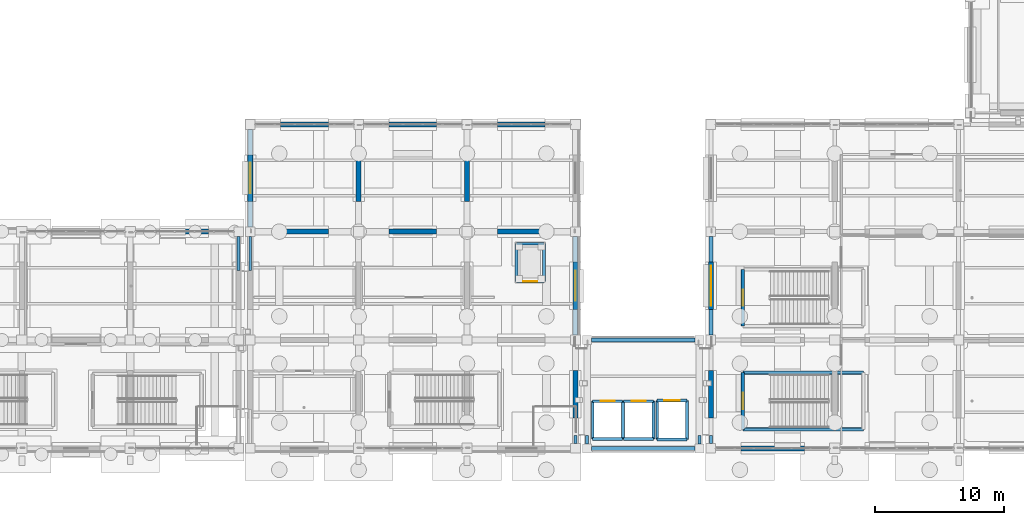
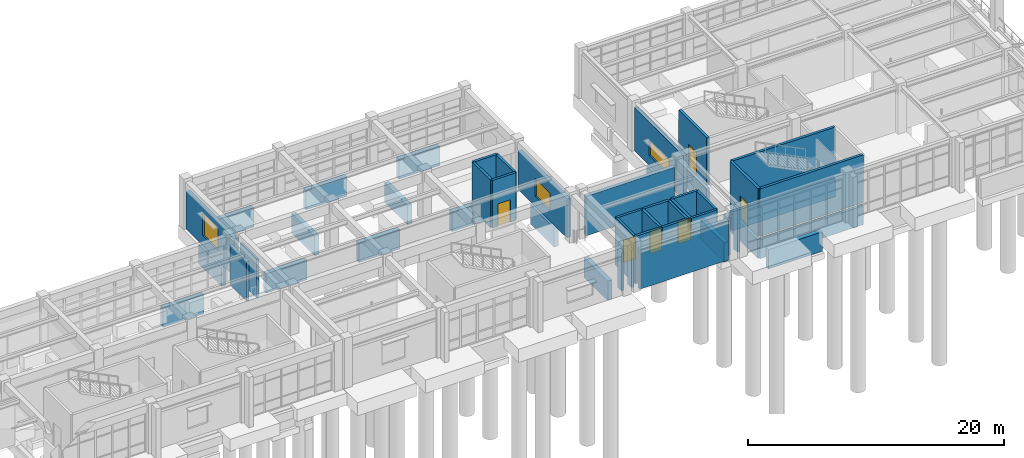
# One storey, part 86 of 111: 50 walls, 6 doors, 3 windows, 9 openings.
"""IFC4 building model written with IfcOpenShell, lengths in metres."""

from ifc_helpers import new_model, si_unit, direction, frame, frame_2d, origin, place, context, subcontext, project, spatial, rectangle, extrude, material, layer, layer_set, type_object, element, fill, save


model = new_model("IFC4")

# Units and contexts
model_context = context("Model", 3, precision=1e-05, world=origin(), true_north=direction((0.0, 1.0)))
body_context = subcontext(model_context, "Body", "Model", "MODEL_VIEW")
ifc_project = project(units=[si_unit("LENGTHUNIT", "METRE"), si_unit("AREAUNIT", "SQUARE_METRE"), si_unit("VOLUMEUNIT", "CUBIC_METRE"), si_unit("PLANEANGLEUNIT", "RADIAN"), si_unit("MASSUNIT", "GRAM", prefix="KILO")], contexts=[model_context])

# Site, building, storey
site_placement = place(None, origin())
site = spatial("IfcSite", under=ifc_project, at=site_placement, CompositionType="ELEMENT")
building_placement = place(site_placement, origin())
building = spatial("IfcBuilding", under=site, at=building_placement, Name="Canglan Escarpment Cableway Terminal", CompositionType="ELEMENT")
storey_placement = place(building_placement, frame((0.0, 0.0, 4.800048828125)))
storey = spatial("IfcBuildingStorey", under=building, at=storey_placement, Name="L01", CompositionType="ELEMENT", Elevation=4.800048828125)

# Walls
ifc_material_1 = material(Name="Concrete C40", Category="concrete")
ifc_layer_1 = layer(ifc_material_1, 0.39990234375, Name="Concrete C40")
ifc_layer_set_1 = layer_set([ifc_layer_1], Name="Concrete C40")
wall_type_1 = type_object("IfcWallType", Name="WL-BENCH-SOLID-400", PredefinedType="SOLIDWALL", material=ifc_layer_set_1)
for number, where, z_axis, x_axis, name in (
    (1, (104.550048828125, 24.800048828125, -2.10009765625), (0.0, 0.0, 1.0), (1.0, 0.0, 0.0), "Hillside bench foundation wall BWALL-X-FB3-3-4"),
    (2, (113.85009765625, 24.800048828125, -2.10009765625), (0.0, 0.0, 1.0), (1.0, 0.0, 0.0), "Hillside bench foundation wall BWALL-X-FB4-3-1"),
    (3, (122.25, 24.800048828125, -2.10009765625), (0.0, 0.0, 1.0), (1.0, 0.0, 0.0), "Hillside bench foundation wall BWALL-X-FB4-3-2"),
):
    element("IfcWall", number, at=place(storey_placement, frame(where, z_axis=z_axis, x_axis=x_axis)), inside=storey, type_object=wall_type_1, Name=name, PredefinedType="SOLIDWALL", context=body_context, shape_type="SweptSolid", body=[
        extrude(rectangle(XDim=3.699951171875, YDim=0.39990234375, at=frame_2d((1.85009765625, 0.0))), origin(), (0.0, 0.0, 1.0), 1.85009765625),
    ])
wall_1_placement = place(storey_placement, frame((130.64990234375, 24.800048828125, -2.10009765625), z_axis=(0.0, 0.0, 1.0), x_axis=(1.0, 0.0, 0.0)))
element("IfcWall", 4, at=wall_1_placement, inside=storey, type_object=wall_type_1, Name="Hillside bench foundation wall BWALL-X-FB4-3-3", PredefinedType="SOLIDWALL", context=body_context, shape_type="SweptSolid", body=[
    extrude(rectangle(XDim=3.7001953125, YDim=0.39990234375, at=frame_2d((1.85009765625, 0.0))), origin(), (0.0, 0.0, 1.0), 1.85009765625),
])
for number, where, z_axis, x_axis, name in (
    (5, (113.85009765625, 33.10009765625, -2.10009765625), (0.0, 0.0, 1.0), (1.0, 0.0, 0.0), "Hillside bench foundation wall BWALL-X-FB4-4-1"),
    (6, (122.25, 33.10009765625, -2.10009765625), (0.0, 0.0, 1.0), (1.0, 0.0, 0.0), "Hillside bench foundation wall BWALL-X-FB4-4-2"),
):
    element("IfcWall", number, at=place(storey_placement, frame(where, z_axis=z_axis, x_axis=x_axis)), inside=storey, type_object=wall_type_1, Name=name, PredefinedType="SOLIDWALL", context=body_context, shape_type="SweptSolid", body=[
        extrude(rectangle(XDim=3.699951171875, YDim=0.39990234375, at=frame_2d((1.85009765625, 0.0))), origin(), (0.0, 0.0, 1.0), 1.85009765625),
    ])
wall_2_placement = place(storey_placement, frame((130.64990234375, 33.10009765625, -2.10009765625), z_axis=(0.0, 0.0, 1.0), x_axis=(1.0, 0.0, 0.0)))
element("IfcWall", 7, at=wall_2_placement, inside=storey, type_object=wall_type_1, Name="Hillside bench foundation wall BWALL-X-FB4-4-3", PredefinedType="SOLIDWALL", context=body_context, shape_type="SweptSolid", body=[
    extrude(rectangle(XDim=3.7001953125, YDim=0.39990234375, at=frame_2d((1.85009765625, 0.0))), origin(), (0.0, 0.0, 1.0), 1.85009765625),
])
for number, where, z_axis, x_axis, name in (
    (8, (111.5, 27.14990234375, -2.10009765625), (0.0, 0.0, 1.0), (0.0, 1.0, 0.0), "Hillside bench transverse foundation wall BWALL-Y-FB4-1-3"),
    (9, (119.89990234375, 27.14990234375, -2.10009765625), (0.0, 0.0, 1.0), (0.0, 1.0, 0.0), "Hillside bench transverse foundation wall BWALL-Y-FB4-2-3"),
    (10, (128.300048828125, 27.14990234375, -2.10009765625), (0.0, 0.0, 1.0), (0.0, 1.0, 0.0), "Hillside bench transverse foundation wall BWALL-Y-FB4-3-3"),
):
    element("IfcWall", number, at=place(storey_placement, frame(where, z_axis=z_axis, x_axis=x_axis)), inside=storey, type_object=wall_type_1, Name=name, PredefinedType="SOLIDWALL", context=body_context, shape_type="SweptSolid", body=[
        extrude(rectangle(XDim=3.60009765625, YDim=0.39990234375, at=frame_2d((1.800048828125, 0.0))), origin(), (0.0, 0.0, 1.0), 1.85009765625),
    ])
for number, where, z_axis, x_axis, name in (
    (11, (136.699951171875, 10.35009765625, -2.10009765625), (0.0, 0.0, 1.0), (0.0, 1.0, 0.0), "Hillside bench transverse foundation wall BWALL-Y-FB4-4-1"),
    (12, (136.699951171875, 18.75, -2.10009765625), (0.0, 0.0, 1.0), (0.0, 1.0, 0.0), "Hillside bench transverse foundation wall BWALL-Y-FB4-4-2"),
):
    element("IfcWall", number, at=place(storey_placement, frame(where, z_axis=z_axis, x_axis=x_axis)), inside=storey, type_object=wall_type_1, Name=name, PredefinedType="SOLIDWALL", context=body_context, shape_type="SweptSolid", body=[
        extrude(rectangle(XDim=3.699951171875, YDim=0.39990234375, at=frame_2d((1.85009765625, 0.0))), origin(), (0.0, 0.0, 1.0), 1.85009765625),
    ])
wall_3_placement = place(storey_placement, frame((149.550048828125, 8.0, -2.10009765625), z_axis=(0.0, 0.0, 1.0), x_axis=(1.0, 0.0, 0.0)))
element("IfcWall", 13, at=wall_3_placement, inside=storey, type_object=wall_type_1, Name="Hillside bench foundation wall BWALL-X-FB5-1-1", PredefinedType="SOLIDWALL", context=body_context, shape_type="SweptSolid", body=[
    extrude(rectangle(XDim=4.89990234375, YDim=0.39990234375, at=frame_2d((2.449951171875, 0.0))), origin(), (0.0, 0.0, 1.0), 1.85009765625),
])
for number, where, z_axis, x_axis, name in (
    (14, (147.199951171875, 10.35009765625, -2.10009765625), (0.0, 0.0, 1.0), (0.0, 1.0, 0.0), "Hillside bench transverse foundation wall BWALL-Y-FB5-1-1"),
    (15, (147.199951171875, 18.75, -2.10009765625), (0.0, 0.0, 1.0), (0.0, 1.0, 0.0), "Hillside bench transverse foundation wall BWALL-Y-FB5-1-2"),
):
    element("IfcWall", number, at=place(storey_placement, frame(where, z_axis=z_axis, x_axis=x_axis)), inside=storey, type_object=wall_type_1, Name=name, PredefinedType="SOLIDWALL", context=body_context, shape_type="SweptSolid", body=[
        extrude(rectangle(XDim=3.699951171875, YDim=0.39990234375, at=frame_2d((1.85009765625, 0.0))), origin(), (0.0, 0.0, 1.0), 1.85009765625),
    ])
for number, where, z_axis, x_axis, name in (
    (16, (149.679931640625, 9.47998046875, -2.10009765625), (0.0, 0.0, 1.0), (1.0, 0.0, 0.0), "Stair core foundation wall ST-08"),
    (17, (159.02001953125, 13.8701171875, -2.10009765625), (0.0, 0.0, 1.0), (-1.0, 0.0, 0.0), "Stair core foundation wall ST-08"),
):
    element("IfcWall", number, at=place(storey_placement, frame(where, z_axis=z_axis, x_axis=x_axis)), inside=storey, type_object=wall_type_1, Name=name, PredefinedType="SOLIDWALL", context=body_context, shape_type="SweptSolid", body=[
        extrude(rectangle(XDim=9.340087890625, YDim=0.280029296875, at=frame_2d((4.669921875, 0.0))), origin(), (0.0, 0.0, 1.0), 1.800048828125),
    ])
for number, where, z_axis, x_axis, name in (
    (18, (149.679931640625, 13.8701171875, -2.10009765625), (0.0, 0.0, 1.0), (0.0, -1.0, 0.0), "Stair core foundation wall ST-08"),
    (19, (149.679931640625, 21.8701171875, -2.10009765625), (0.0, 0.0, 1.0), (0.0, -1.0, 0.0), "Stair core foundation wall ST-09"),
):
    element("IfcWall", number, at=place(storey_placement, frame(where, z_axis=z_axis, x_axis=x_axis)), inside=storey, type_object=wall_type_1, Name=name, PredefinedType="SOLIDWALL", context=body_context, shape_type="SweptSolid", body=[
        extrude(rectangle(XDim=4.39013671875, YDim=0.280029296875, at=frame_2d((2.195068359375, 0.0))), origin(), (0.0, 0.0, 1.0), 1.800048828125),
    ])
ifc_layer_2 = layer(ifc_material_1, 0.239990234375, Name="Concrete C40")
ifc_layer_set_2 = layer_set([ifc_layer_2], Name="Concrete C40")
wall_type_2 = type_object("IfcWallType", Name="WL-CORE-SHEAR-240", PredefinedType="SHEAR", material=ifc_layer_set_2)
for number, where, z_axis, x_axis, name in (
    (20, (149.679931640625, 9.47998046875, 0.0), (0.0, 0.0, 1.0), (1.0, 0.0, 0.0), "Protected stair core wall ST-08 (L01)"),
    (21, (159.02001953125, 13.8701171875, 0.0), (0.0, 0.0, 1.0), (-1.0, 0.0, 0.0), "Protected stair core wall ST-08 (L01)"),
):
    element("IfcWall", number, at=place(storey_placement, frame(where, z_axis=z_axis, x_axis=x_axis)), inside=storey, type_object=wall_type_2, Name=name, PredefinedType="SHEAR", context=body_context, shape_type="SweptSolid", body=[
        extrude(rectangle(XDim=9.340087890625, YDim=0.239990234375, at=frame_2d((4.669921875, 0.0))), origin(), (0.0, 0.0, 1.0), 4.550048828125),
    ])

# Wall, opening, door
wall_4_placement = place(storey_placement, frame((149.679931640625, 13.8701171875, 0.0), z_axis=(0.0, 0.0, 1.0), x_axis=(0.0, -1.0, 0.0)))
wall_4 = element("IfcWall", 22, at=wall_4_placement, inside=storey, type_object=wall_type_2, Name="Protected stair core wall ST-08 (L01)", PredefinedType="SHEAR", context=body_context, shape_type="SweptSolid", body=[
    extrude(rectangle(XDim=4.39013671875, YDim=0.239990234375, at=frame_2d((2.195068359375, 0.0))), origin(), (0.0, 0.0, 1.0), 4.550048828125),
])
opening_1_placement = place(wall_4_placement, frame((1.570068359375, 0.0, 0.0)))
opening_1 = element("IfcOpeningElement", 23, at=opening_1_placement, cuts=wall_4, Name="Opening SD-D1", PredefinedType="OPENING", context=body_context, shape_type="SweptSolid", body=[
    extrude(rectangle(XDim=1.25, YDim=2.199951171875, at=frame_2d((0.625, 1.10009765625))), frame((0.0, 0.1298828125, 0.0), z_axis=(0.0, -1.0, 0.0), x_axis=(1.0, 0.0, 0.0)), (0.0, 0.0, 1.0), 0.260009765625),
])
ifc_material_2 = material(Name="Steel fire-resisting stair door", Category="steel")
door_type_1 = type_object("IfcDoorType", Name="DR-STAIR-EI90-1250", OperationType="NOTDEFINED", PredefinedType="DOOR", material=ifc_material_2)
door_1_placement = place(opening_1_placement, origin())
door_1 = element("IfcDoor", 24, at=door_1_placement, inside=storey, type_object=door_type_1, Name="Protected exit stair fire door ST-08 (L01)", OperationType="SINGLE_SWING_RIGHT", OverallHeight=2.199951171875, OverallWidth=1.25, PredefinedType="DOOR", context=body_context, shape_type="SweptSolid", body=[
    extrude(rectangle(XDim=1.25, YDim=2.199951171875, at=frame_2d((0.625, 1.10009765625))), frame((0.0, 0.02490234375, 0.0), z_axis=(0.0, -1.0, 0.0), x_axis=(1.0, 0.0, 0.0)), (0.0, 0.0, 1.0), 0.050048828125),
])
fill(opening_1, door_1)

wall_5_placement = place(storey_placement, frame((149.679931640625, 21.8701171875, 0.0), z_axis=(0.0, 0.0, 1.0), x_axis=(0.0, -1.0, 0.0)))
wall_5 = element("IfcWall", 25, at=wall_5_placement, inside=storey, type_object=wall_type_2, Name="Protected stair core wall ST-09 (L01)", PredefinedType="SHEAR", context=body_context, shape_type="SweptSolid", body=[
    extrude(rectangle(XDim=4.39013671875, YDim=0.239990234375, at=frame_2d((2.195068359375, 0.0))), origin(), (0.0, 0.0, 1.0), 4.550048828125),
])
opening_2_placement = place(wall_5_placement, frame((1.570068359375, 0.0, 0.0)))
opening_2 = element("IfcOpeningElement", 26, at=opening_2_placement, cuts=wall_5, Name="Opening SD-D1", PredefinedType="OPENING", context=body_context, shape_type="SweptSolid", body=[
    extrude(rectangle(XDim=1.25, YDim=2.199951171875, at=frame_2d((0.625, 1.10009765625))), frame((0.0, 0.1298828125, 0.0), z_axis=(0.0, -1.0, 0.0), x_axis=(1.0, 0.0, 0.0)), (0.0, 0.0, 1.0), 0.260009765625),
])
door_2_placement = place(opening_2_placement, origin())
door_2 = element("IfcDoor", 27, at=door_2_placement, inside=storey, type_object=door_type_1, Name="Protected exit stair fire door ST-09 (L01)", OperationType="SINGLE_SWING_LEFT", OverallHeight=2.199951171875, OverallWidth=1.25, PredefinedType="DOOR", context=body_context, shape_type="SweptSolid", body=[
    extrude(rectangle(XDim=1.25, YDim=2.199951171875, at=frame_2d((0.625, 1.10009765625))), frame((0.0, 0.02490234375, 0.0), z_axis=(0.0, -1.0, 0.0), x_axis=(1.0, 0.0, 0.0)), (0.0, 0.0, 1.0), 0.050048828125),
])
fill(opening_2, door_2)

# Walls
ifc_material_3 = material(Name="Dressed ashlar limestone on Concrete C40", Category="masonry")
ifc_layer_3 = layer(ifc_material_3, 0.320068359375, Name="Dressed ashlar limestone on Concrete C40")
ifc_layer_set_3 = layer_set([ifc_layer_3], Name="Dressed ashlar limestone on Concrete C40")
wall_type_3 = type_object("IfcWallType", Name="WL-EXT-ASHLAR-320", PredefinedType="STANDARD", material=ifc_layer_set_3)
for number, where, z_axis, x_axis, name in (
    (28, (137.949951171875, 8.0, 0.0), (0.0, 0.0, 1.0), (1.0, 0.0, 0.0), "Classical stone-faced exterior wall EW-FB5A-L01-S-01"),
    (29, (145.949951171875, 16.39990234375, 0.0), (0.0, 0.0, 1.0), (-1.0, 0.0, 0.0), "Classical stone-faced exterior wall EW-FB5A-L01-N-01"),
):
    element("IfcWall", number, at=place(storey_placement, frame(where, z_axis=z_axis, x_axis=x_axis)), inside=storey, type_object=wall_type_3, Name=name, PredefinedType="STANDARD", context=body_context, shape_type="SweptSolid", body=[
        extrude(rectangle(XDim=8.0, YDim=0.320068359375, at=frame_2d((4.0, 0.0))), origin(), (0.0, 0.0, 1.0), 3.784912109375),
    ])

# Wall, opening, window
wall_6_placement = place(storey_placement, frame((147.199951171875, 24.425048828125, 0.0), z_axis=(0.0, 0.0, 1.0), x_axis=(0.0, -1.0, 0.0)))
wall_6 = element("IfcWall", 30, at=wall_6_placement, inside=storey, type_object=wall_type_3, Name="Classical stone-faced exterior wall EW-FB5-L01-W-02", PredefinedType="STANDARD", context=body_context, shape_type="SweptSolid", body=[
    extrude(rectangle(XDim=7.650146484375, YDim=0.320068359375, at=frame_2d((3.8251953125, 0.0))), origin(), (0.0, 0.0, 1.0), 4.14501953125),
])
opening_3_placement = place(wall_6_placement, frame((2.27490234375, 0.0, 0.949951171875)))
opening_3 = element("IfcOpeningElement", 31, at=opening_3_placement, cuts=wall_6, Name="Opening W-33", PredefinedType="OPENING", context=body_context, shape_type="SweptSolid", body=[
    extrude(rectangle(XDim=3.10009765625, YDim=1.449951171875, at=frame_2d((1.550048828125, 0.72509765625))), frame((0.0, 0.169921875, 0.0), z_axis=(0.0, -1.0, 0.0), x_axis=(1.0, 0.0, 0.0)), (0.0, 0.0, 1.0), 0.340087890625),
])
ifc_material_4 = material(Name="Anodized bronze aluminium and Low-E double glazing", Category="aluminium")
window_type_1 = type_object("IfcWindowType", Name="WIN-EXT-33", PartitioningType="DOUBLE_PANEL_VERTICAL", PredefinedType="WINDOW", material=ifc_material_4)
window_1_placement = place(opening_3_placement, origin())
window_1 = element("IfcWindow", 32, at=window_1_placement, inside=storey, type_object=window_type_1, Name="Classical module window W-33", OverallHeight=1.449951171875, OverallWidth=3.10009765625, PartitioningType="SINGLE_PANEL", PredefinedType="WINDOW", context=body_context, shape_type="SweptSolid", body=[
    extrude(rectangle(XDim=3.10009765625, YDim=1.449951171875, at=frame_2d((1.550048828125, 0.72509765625))), frame((0.0, 0.030029296875, 0.0), z_axis=(0.0, -1.0, 0.0), x_axis=(1.0, 0.0, 0.0)), (0.0, 0.0, 1.0), 0.06005859375),
])
fill(opening_3, window_1)

# Walls
ifc_material_5 = material(Name="Insulated stone-faced spandrel wall", Category="masonry")
ifc_layer_4 = layer(ifc_material_5, 0.22998046875, Name="Insulated stone-faced spandrel wall")
ifc_layer_set_4 = layer_set([ifc_layer_4], Name="Insulated stone-faced spandrel wall")
wall_type_4 = type_object("IfcWallType", Name="WL-EXT-LINK-230", PredefinedType="STANDARD", material=ifc_layer_set_4)
wall_7_placement = place(storey_placement, frame((110.60009765625, 21.800048828125, 0.0), z_axis=(0.0, 0.0, 1.0), x_axis=(0.0, 1.0, 0.0)))
element("IfcWall", 33, at=wall_7_placement, inside=storey, type_object=wall_type_4, Name="Classical stone-faced exterior wall EW-FB3-L01-E-02-FL2", PredefinedType="STANDARD", context=body_context, shape_type="SweptSolid", body=[
    extrude(rectangle(XDim=2.625, YDim=0.22998046875, at=frame_2d((1.3125, 0.0))), origin(), (0.0, 0.0, 1.0), 3.784912109375),
])
wall_8_placement = place(storey_placement, frame((136.699951171875, 8.375, 0.0), z_axis=(0.0, 0.0, 1.0), x_axis=(0.0, 1.0, 0.0)))
element("IfcWall", 34, at=wall_8_placement, inside=storey, type_object=wall_type_4, Name="Classical stone-faced exterior wall EW-FB4-L01-E-01-FL1", PredefinedType="STANDARD", context=body_context, shape_type="SweptSolid", body=[
    extrude(rectangle(XDim=0.625, YDim=0.22998046875, at=frame_2d((0.3125, 0.0))), origin(), (0.0, 0.0, 1.0), 3.68505859375),
])
wall_9_placement = place(storey_placement, frame((111.5, 21.800048828125, 0.0), z_axis=(0.0, 0.0, 1.0), x_axis=(0.0, 1.0, 0.0)))
element("IfcWall", 35, at=wall_9_placement, inside=storey, type_object=wall_type_4, Name="Classical stone-faced exterior wall EW-FB4-L01-W-02-FL2", PredefinedType="STANDARD", context=body_context, shape_type="SweptSolid", body=[
    extrude(rectangle(XDim=2.625, YDim=0.22998046875, at=frame_2d((1.3125, 0.0))), origin(), (0.0, 0.0, 1.0), 3.68505859375),
])
for number, where, z_axis, x_axis, name in (
    (36, (146.300048828125, 8.35009765625, 0.0), (0.0, 0.0, 1.0), (0.0, 1.0, 0.0), "Classical stone-faced exterior wall EW-FB5A-L01-E-01-FL1"),
    (37, (137.60009765625, 8.35009765625, 0.0), (0.0, 0.0, 1.0), (0.0, 1.0, 0.0), "Classical stone-faced exterior wall EW-FB5A-L01-W-01-FL1"),
):
    element("IfcWall", number, at=place(storey_placement, frame(where, z_axis=z_axis, x_axis=x_axis)), inside=storey, type_object=wall_type_4, Name=name, PredefinedType="STANDARD", context=body_context, shape_type="SweptSolid", body=[
        extrude(rectangle(XDim=0.64990234375, YDim=0.22998046875, at=frame_2d((0.324951171875, 0.0))), origin(), (0.0, 0.0, 1.0), 3.5849609375),
    ])
wall_10_placement = place(storey_placement, frame((147.199951171875, 8.375, 0.0), z_axis=(0.0, 0.0, 1.0), x_axis=(0.0, 1.0, 0.0)))
element("IfcWall", 38, at=wall_10_placement, inside=storey, type_object=wall_type_4, Name="Classical stone-faced exterior wall EW-FB5-L01-W-01-FL1", PredefinedType="STANDARD", context=body_context, shape_type="SweptSolid", body=[
    extrude(rectangle(XDim=0.625, YDim=0.22998046875, at=frame_2d((0.3125, 0.0))), origin(), (0.0, 0.0, 1.0), 4.14501953125),
])

# Wall, opening, window
ifc_material_6 = material(Name="Rusticated limestone masonry on Concrete C40", Category="masonry")
ifc_layer_5 = layer(ifc_material_6, 0.360107421875, Name="Rusticated limestone masonry on Concrete C40")
ifc_layer_set_5 = layer_set([ifc_layer_5], Name="Rusticated limestone masonry on Concrete C40")
wall_type_5 = type_object("IfcWallType", Name="WL-EXT-RUST-360", PredefinedType="STANDARD", material=ifc_layer_set_5)
wall_11_placement = place(storey_placement, frame((136.699951171875, 16.77490234375, 0.0), z_axis=(0.0, 0.0, 1.0), x_axis=(0.0, 1.0, 0.0)))
wall_11 = element("IfcWall", 39, at=wall_11_placement, inside=storey, type_object=wall_type_5, Name="Classical stone-faced exterior wall EW-FB4-L01-E-02", PredefinedType="STANDARD", context=body_context, shape_type="SweptSolid", body=[
    extrude(rectangle(XDim=7.650146484375, YDim=0.360107421875, at=frame_2d((3.8251953125, 0.0))), origin(), (0.0, 0.0, 1.0), 3.68505859375),
])
opening_4_placement = place(wall_11_placement, frame((2.64990234375, 0.0, 0.949951171875)))
opening_4 = element("IfcOpeningElement", 40, at=opening_4_placement, cuts=wall_11, Name="Opening W-22", PredefinedType="OPENING", context=body_context, shape_type="SweptSolid", body=[
    extrude(rectangle(XDim=2.35009765625, YDim=1.699951171875, at=frame_2d((1.175048828125, 0.85009765625))), frame((0.0, 0.18994140625, 0.0), z_axis=(0.0, -1.0, 0.0), x_axis=(1.0, 0.0, 0.0)), (0.0, 0.0, 1.0), 0.380126953125),
])
window_type_2 = type_object("IfcWindowType", Name="WIN-EXT-22", PartitioningType="DOUBLE_PANEL_VERTICAL", PredefinedType="WINDOW", material=ifc_material_4)
window_2_placement = place(opening_4_placement, origin())
window_2 = element("IfcWindow", 41, at=window_2_placement, inside=storey, type_object=window_type_2, Name="Classical module window W-22", OverallHeight=1.699951171875, OverallWidth=2.35009765625, PartitioningType="SINGLE_PANEL", PredefinedType="WINDOW", context=body_context, shape_type="SweptSolid", body=[
    extrude(rectangle(XDim=2.35009765625, YDim=1.699951171875, at=frame_2d((1.175048828125, 0.85009765625))), frame((0.0, 0.030029296875, 0.0), z_axis=(0.0, -1.0, 0.0), x_axis=(1.0, 0.0, 0.0)), (0.0, 0.0, 1.0), 0.06005859375),
])
fill(opening_4, window_2)

wall_12_placement = place(storey_placement, frame((111.5, 32.72509765625, 0.0), z_axis=(0.0, 0.0, 1.0), x_axis=(0.0, -1.0, 0.0)))
wall_12 = element("IfcWall", 42, at=wall_12_placement, inside=storey, type_object=wall_type_5, Name="Classical stone-faced exterior wall EW-FB4-L01-W-03", PredefinedType="STANDARD", context=body_context, shape_type="SweptSolid", body=[
    extrude(rectangle(XDim=7.550048828125, YDim=0.360107421875, at=frame_2d((3.77490234375, 0.0))), origin(), (0.0, 0.0, 1.0), 3.614990234375),
])
opening_5_placement = place(wall_12_placement, frame((2.60009765625, 0.0, 0.949951171875)))
opening_5 = element("IfcOpeningElement", 43, at=opening_5_placement, cuts=wall_12, Name="Opening W-24", PredefinedType="OPENING", context=body_context, shape_type="SweptSolid", body=[
    extrude(rectangle(XDim=2.35009765625, YDim=2.14990234375, at=frame_2d((1.175048828125, 1.074951171875))), frame((0.0, 0.18994140625, 0.0), z_axis=(0.0, -1.0, 0.0), x_axis=(1.0, 0.0, 0.0)), (0.0, 0.0, 1.0), 0.380126953125),
])
window_type_3 = type_object("IfcWindowType", Name="WIN-EXT-24", PartitioningType="DOUBLE_PANEL_VERTICAL", PredefinedType="WINDOW", material=ifc_material_4)
window_3_placement = place(opening_5_placement, origin())
window_3 = element("IfcWindow", 44, at=window_3_placement, inside=storey, type_object=window_type_3, Name="Classical module window W-24", OverallHeight=2.14990234375, OverallWidth=2.35009765625, PartitioningType="SINGLE_PANEL", PredefinedType="WINDOW", context=body_context, shape_type="SweptSolid", body=[
    extrude(rectangle(XDim=2.35009765625, YDim=2.14990234375, at=frame_2d((1.175048828125, 1.074951171875))), frame((0.0, 0.030029296875, 0.0), z_axis=(0.0, -1.0, 0.0), x_axis=(1.0, 0.0, 0.0)), (0.0, 0.0, 1.0), 0.06005859375),
])
fill(opening_5, window_3)

# Walls
ifc_layer_6 = layer(ifc_material_1, 0.219970703125, Name="Concrete C40")
ifc_layer_set_6 = layer_set([ifc_layer_6], Name="Concrete C40")
wall_type_6 = type_object("IfcWallType", Name="WL-SHAFT-SHEAR-220", PredefinedType="SHEAR", material=ifc_layer_set_6)
wall_13_placement = place(storey_placement, frame((138.0400390625, 8.739990234375, 0.0), z_axis=(0.0, 0.0, 1.0), x_axis=(1.0, 0.0, 0.0)))
element("IfcWall", 45, at=wall_13_placement, inside=storey, type_object=wall_type_6, Name="Elevator core shaft wall LF-01 (L01)", PredefinedType="SHEAR", context=body_context, shape_type="SweptSolid", body=[
    extrude(rectangle(XDim=2.320068359375, YDim=0.219970703125, at=frame_2d((1.16015625, 0.0))), origin(), (0.0, 0.0, 1.0), 4.550048828125),
])
wall_14_placement = place(storey_placement, frame((140.39990234375, 8.739990234375, 0.0), z_axis=(0.0, 0.0, 1.0), x_axis=(0.0, 1.0, 0.0)))
element("IfcWall", 46, at=wall_14_placement, inside=storey, type_object=wall_type_6, Name="Elevator core shaft wall LF-01 (L01)", PredefinedType="SHEAR", context=body_context, shape_type="SweptSolid", body=[
    extrude(rectangle(XDim=2.919921875, YDim=0.219970703125, at=frame_2d((1.4599609375, 0.0))), origin(), (0.0, 0.0, 1.0), 4.550048828125),
])

# Wall, opening, door
wall_15_placement = place(storey_placement, frame((140.360107421875, 11.659912109375, 0.0), z_axis=(0.0, 0.0, 1.0), x_axis=(-1.0, 0.0, 0.0)))
wall_15 = element("IfcWall", 47, at=wall_15_placement, inside=storey, type_object=wall_type_6, Name="Elevator core shaft wall LF-01 (L01)", PredefinedType="SHEAR", context=body_context, shape_type="SweptSolid", body=[
    extrude(rectangle(XDim=2.320068359375, YDim=0.219970703125, at=frame_2d((1.16015625, 0.0))), origin(), (0.0, 0.0, 1.0), 4.550048828125),
])
opening_6_placement = place(wall_15_placement, frame((0.610107421875, 0.0, 0.0)))
opening_6 = element("IfcOpeningElement", 48, at=opening_6_placement, cuts=wall_15, Name="Opening LD-01", PredefinedType="OPENING", context=body_context, shape_type="SweptSolid", body=[
    extrude(rectangle(XDim=1.10009765625, YDim=2.14990234375, at=frame_2d((0.550048828125, 1.074951171875))), frame((0.0, 0.1201171875, 0.0), z_axis=(0.0, -1.0, 0.0), x_axis=(1.0, 0.0, 0.0)), (0.0, 0.0, 1.0), 0.239990234375),
])
ifc_material_7 = material(Name="Brushed stainless steel lift landing door", Category="steel")
door_type_2 = type_object("IfcDoorType", Name="DR-LIFT-SLIDE-1100", OperationType="DOUBLE_DOOR_SLIDING", PredefinedType="DOOR", material=ifc_material_7)
door_3_placement = place(opening_6_placement, origin())
door_3 = element("IfcDoor", 49, at=door_3_placement, inside=storey, type_object=door_type_2, Name="Elevator sliding landing door LF-01 (L01)", OperationType="DOUBLE_DOOR_SLIDING", OverallHeight=2.14990234375, OverallWidth=1.10009765625, PredefinedType="DOOR", context=body_context, shape_type="SweptSolid", body=[
    extrude(rectangle(XDim=1.10009765625, YDim=2.14990234375, at=frame_2d((0.550048828125, 1.074951171875))), frame((0.0, 0.02490234375, 0.0), z_axis=(0.0, -1.0, 0.0), x_axis=(1.0, 0.0, 0.0)), (0.0, 0.0, 1.0), 0.050048828125),
])
fill(opening_6, door_3)

# Walls
wall_16_placement = place(storey_placement, frame((138.0400390625, 11.659912109375, 0.0), z_axis=(0.0, 0.0, 1.0), x_axis=(0.0, -1.0, 0.0)))
element("IfcWall", 50, at=wall_16_placement, inside=storey, type_object=wall_type_6, Name="Elevator core shaft wall LF-01 (L01)", PredefinedType="SHEAR", context=body_context, shape_type="SweptSolid", body=[
    extrude(rectangle(XDim=2.919921875, YDim=0.219970703125, at=frame_2d((1.4599609375, 0.0))), origin(), (0.0, 0.0, 1.0), 4.550048828125),
])
wall_17_placement = place(storey_placement, frame((140.43994140625, 8.739990234375, 0.0), z_axis=(0.0, 0.0, 1.0), x_axis=(1.0, 0.0, 0.0)))
element("IfcWall", 51, at=wall_17_placement, inside=storey, type_object=wall_type_6, Name="Elevator core shaft wall LF-02 (L01)", PredefinedType="SHEAR", context=body_context, shape_type="SweptSolid", body=[
    extrude(rectangle(XDim=2.320068359375, YDim=0.219970703125, at=frame_2d((1.16015625, 0.0))), origin(), (0.0, 0.0, 1.0), 4.550048828125),
])
wall_18_placement = place(storey_placement, frame((142.760009765625, 8.739990234375, 0.0), z_axis=(0.0, 0.0, 1.0), x_axis=(0.0, 1.0, 0.0)))
element("IfcWall", 52, at=wall_18_placement, inside=storey, type_object=wall_type_6, Name="Elevator core shaft wall LF-02 (L01)", PredefinedType="SHEAR", context=body_context, shape_type="SweptSolid", body=[
    extrude(rectangle(XDim=2.919921875, YDim=0.219970703125, at=frame_2d((1.4599609375, 0.0))), origin(), (0.0, 0.0, 1.0), 4.550048828125),
])

# Wall, opening, door
wall_19_placement = place(storey_placement, frame((142.760009765625, 11.659912109375, 0.0), z_axis=(0.0, 0.0, 1.0), x_axis=(-1.0, 0.0, 0.0)))
wall_19 = element("IfcWall", 53, at=wall_19_placement, inside=storey, type_object=wall_type_6, Name="Elevator core shaft wall LF-02 (L01)", PredefinedType="SHEAR", context=body_context, shape_type="SweptSolid", body=[
    extrude(rectangle(XDim=2.320068359375, YDim=0.219970703125, at=frame_2d((1.16015625, 0.0))), origin(), (0.0, 0.0, 1.0), 4.550048828125),
])
opening_7_placement = place(wall_19_placement, frame((0.610107421875, 0.0, 0.0)))
opening_7 = element("IfcOpeningElement", 54, at=opening_7_placement, cuts=wall_19, Name="Opening LD-01", PredefinedType="OPENING", context=body_context, shape_type="SweptSolid", body=[
    extrude(rectangle(XDim=1.10009765625, YDim=2.14990234375, at=frame_2d((0.550048828125, 1.074951171875))), frame((0.0, 0.1201171875, 0.0), z_axis=(0.0, -1.0, 0.0), x_axis=(1.0, 0.0, 0.0)), (0.0, 0.0, 1.0), 0.239990234375),
])
door_4_placement = place(opening_7_placement, origin())
door_4 = element("IfcDoor", 55, at=door_4_placement, inside=storey, type_object=door_type_2, Name="Elevator sliding landing door LF-02 (L01)", OperationType="DOUBLE_DOOR_SLIDING", OverallHeight=2.14990234375, OverallWidth=1.10009765625, PredefinedType="DOOR", context=body_context, shape_type="SweptSolid", body=[
    extrude(rectangle(XDim=1.10009765625, YDim=2.14990234375, at=frame_2d((0.550048828125, 1.074951171875))), frame((0.0, 0.02490234375, 0.0), z_axis=(0.0, -1.0, 0.0), x_axis=(1.0, 0.0, 0.0)), (0.0, 0.0, 1.0), 0.050048828125),
])
fill(opening_7, door_4)

# Wall
wall_20_placement = place(storey_placement, frame((132.139892578125, 23.860107421875, -1.400146484375), z_axis=(0.0, 0.0, 1.0), x_axis=(1.0, 0.0, 0.0)))
element("IfcWall", 56, at=wall_20_placement, inside=storey, type_object=wall_type_6, Name="Elevator pit wall LF-06", PredefinedType="SHEAR", context=body_context, shape_type="SweptSolid", body=[
    extrude(rectangle(XDim=2.1201171875, YDim=0.219970703125, at=frame_2d((1.06005859375, 0.0))), origin(), (0.0, 0.0, 1.0), 1.1201171875),
])

# Wall, opening, door
wall_21_placement = place(storey_placement, frame((132.139892578125, 20.93994140625, 0.0), z_axis=(0.0, 0.0, 1.0), x_axis=(1.0, 0.0, 0.0)))
wall_21 = element("IfcWall", 57, at=wall_21_placement, inside=storey, type_object=wall_type_6, Name="Elevator core shaft wall LF-06 (L01)", PredefinedType="SHEAR", context=body_context, shape_type="SweptSolid", body=[
    extrude(rectangle(XDim=2.1201171875, YDim=0.219970703125, at=frame_2d((1.06005859375, 0.0))), origin(), (0.0, 0.0, 1.0), 4.550048828125),
])
opening_8_placement = place(wall_21_placement, frame((0.510009765625, 0.0, 0.0)))
opening_8 = element("IfcOpeningElement", 58, at=opening_8_placement, cuts=wall_21, Name="Opening LD-01", PredefinedType="OPENING", context=body_context, shape_type="SweptSolid", body=[
    extrude(rectangle(XDim=1.10009765625, YDim=2.14990234375, at=frame_2d((0.550048828125, 1.074951171875))), frame((0.0, 0.1201171875, 0.0), z_axis=(0.0, -1.0, 0.0), x_axis=(1.0, 0.0, 0.0)), (0.0, 0.0, 1.0), 0.239990234375),
])
door_5_placement = place(opening_8_placement, origin())
door_5 = element("IfcDoor", 59, at=door_5_placement, inside=storey, type_object=door_type_2, Name="Elevator sliding landing door LF-06 (L01)", OperationType="DOUBLE_DOOR_SLIDING", OverallHeight=2.14990234375, OverallWidth=1.10009765625, PredefinedType="DOOR", context=body_context, shape_type="SweptSolid", body=[
    extrude(rectangle(XDim=1.10009765625, YDim=2.14990234375, at=frame_2d((0.550048828125, 1.074951171875))), frame((0.0, 0.02490234375, 0.0), z_axis=(0.0, -1.0, 0.0), x_axis=(1.0, 0.0, 0.0)), (0.0, 0.0, 1.0), 0.050048828125),
])
fill(opening_8, door_5)

# Walls
wall_22_placement = place(storey_placement, frame((134.260009765625, 20.93994140625, 0.0), z_axis=(0.0, 0.0, 1.0), x_axis=(0.0, 1.0, 0.0)))
element("IfcWall", 60, at=wall_22_placement, inside=storey, type_object=wall_type_6, Name="Elevator core shaft wall LF-06 (L01)", PredefinedType="SHEAR", context=body_context, shape_type="SweptSolid", body=[
    extrude(rectangle(XDim=2.920166015625, YDim=0.219970703125, at=frame_2d((1.4599609375, 0.0))), origin(), (0.0, 0.0, 1.0), 4.550048828125),
])
wall_23_placement = place(storey_placement, frame((134.260009765625, 23.860107421875, 0.0), z_axis=(0.0, 0.0, 1.0), x_axis=(-1.0, 0.0, 0.0)))
element("IfcWall", 61, at=wall_23_placement, inside=storey, type_object=wall_type_6, Name="Elevator core shaft wall LF-06 (L01)", PredefinedType="SHEAR", context=body_context, shape_type="SweptSolid", body=[
    extrude(rectangle(XDim=2.1201171875, YDim=0.219970703125, at=frame_2d((1.06005859375, 0.0))), origin(), (0.0, 0.0, 1.0), 4.550048828125),
])
wall_24_placement = place(storey_placement, frame((132.139892578125, 23.860107421875, 0.0), z_axis=(0.0, 0.0, 1.0), x_axis=(0.0, -1.0, 0.0)))
element("IfcWall", 62, at=wall_24_placement, inside=storey, type_object=wall_type_6, Name="Elevator core shaft wall LF-06 (L01)", PredefinedType="SHEAR", context=body_context, shape_type="SweptSolid", body=[
    extrude(rectangle(XDim=2.920166015625, YDim=0.219970703125, at=frame_2d((1.4599609375, 0.0))), origin(), (0.0, 0.0, 1.0), 4.550048828125),
])
wall_25_placement = place(storey_placement, frame((143.0400390625, 8.68994140625, 0.0), z_axis=(0.0, 0.0, 1.0), x_axis=(1.0, 0.0, 0.0)))
element("IfcWall", 63, at=wall_25_placement, inside=storey, type_object=wall_type_6, Name="Elevator core shaft wall LF-07 (L01)", PredefinedType="SHEAR", context=body_context, shape_type="SweptSolid", body=[
    extrude(rectangle(XDim=2.320068359375, YDim=0.219970703125, at=frame_2d((1.16015625, 0.0))), origin(), (0.0, 0.0, 1.0), 4.550048828125),
])
wall_26_placement = place(storey_placement, frame((145.360107421875, 8.68994140625, 0.0), z_axis=(0.0, 0.0, 1.0), x_axis=(0.0, 1.0, 0.0)))
element("IfcWall", 64, at=wall_26_placement, inside=storey, type_object=wall_type_6, Name="Elevator core shaft wall LF-07 (L01)", PredefinedType="SHEAR", context=body_context, shape_type="SweptSolid", body=[
    extrude(rectangle(XDim=3.02001953125, YDim=0.219970703125, at=frame_2d((1.510009765625, 0.0))), origin(), (0.0, 0.0, 1.0), 4.550048828125),
])

# Wall, opening, door
wall_27_placement = place(storey_placement, frame((145.360107421875, 11.7099609375, 0.0), z_axis=(0.0, 0.0, 1.0), x_axis=(-1.0, 0.0, 0.0)))
wall_27 = element("IfcWall", 65, at=wall_27_placement, inside=storey, type_object=wall_type_6, Name="Elevator core shaft wall LF-07 (L01)", PredefinedType="SHEAR", context=body_context, shape_type="SweptSolid", body=[
    extrude(rectangle(XDim=2.320068359375, YDim=0.219970703125, at=frame_2d((1.16015625, 0.0))), origin(), (0.0, 0.0, 1.0), 4.550048828125),
])
opening_9_placement = place(wall_27_placement, frame((0.56005859375, 0.0, 0.0)))
opening_9 = element("IfcOpeningElement", 66, at=opening_9_placement, cuts=wall_27, Name="Opening LD-02", PredefinedType="OPENING", context=body_context, shape_type="SweptSolid", body=[
    extrude(rectangle(XDim=1.199951171875, YDim=2.14990234375, at=frame_2d((0.60009765625, 1.074951171875))), frame((0.0, 0.1201171875, 0.0), z_axis=(0.0, -1.0, 0.0), x_axis=(1.0, 0.0, 0.0)), (0.0, 0.0, 1.0), 0.239990234375),
])
ifc_material_8 = material(Name="Fire-rated stainless steel lift landing door", Category="steel")
door_type_3 = type_object("IfcDoorType", Name="DR-LIFT-FIRE-1200", OperationType="DOUBLE_DOOR_SLIDING", PredefinedType="DOOR", material=ifc_material_8)
door_6_placement = place(opening_9_placement, origin())
door_6 = element("IfcDoor", 67, at=door_6_placement, inside=storey, type_object=door_type_3, Name="Elevator sliding landing door LF-07 (L01)", OperationType="DOUBLE_DOOR_SLIDING", OverallHeight=2.14990234375, OverallWidth=1.199951171875, PredefinedType="DOOR", context=body_context, shape_type="SweptSolid", body=[
    extrude(rectangle(XDim=1.199951171875, YDim=2.14990234375, at=frame_2d((0.60009765625, 1.074951171875))), frame((0.0, 0.02490234375, 0.0), z_axis=(0.0, -1.0, 0.0), x_axis=(1.0, 0.0, 0.0)), (0.0, 0.0, 1.0), 0.050048828125),
])
fill(opening_9, door_6)

# Wall
wall_28_placement = place(storey_placement, frame((143.0400390625, 11.7099609375, 0.0), z_axis=(0.0, 0.0, 1.0), x_axis=(0.0, -1.0, 0.0)))
element("IfcWall", 68, at=wall_28_placement, inside=storey, type_object=wall_type_6, Name="Elevator core shaft wall LF-07 (L01)", PredefinedType="SHEAR", context=body_context, shape_type="SweptSolid", body=[
    extrude(rectangle(XDim=3.02001953125, YDim=0.219970703125, at=frame_2d((1.510009765625, 0.0))), origin(), (0.0, 0.0, 1.0), 4.550048828125),
])

save(model, "model.ifc")
